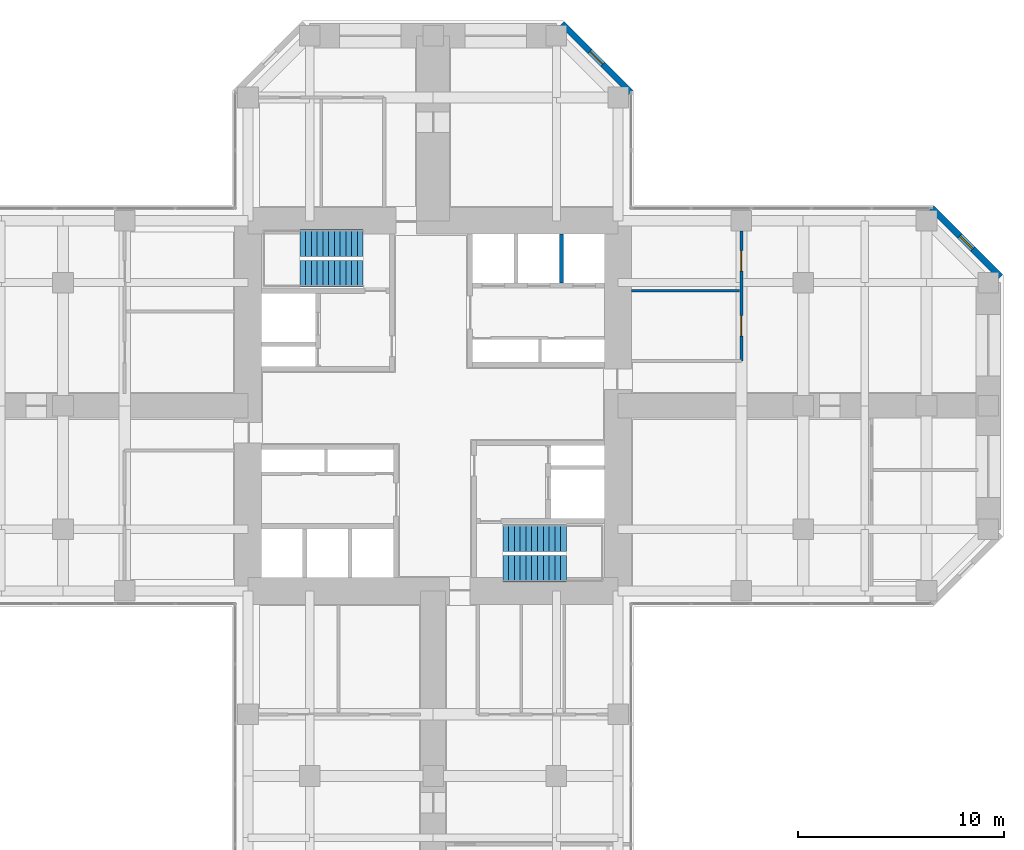
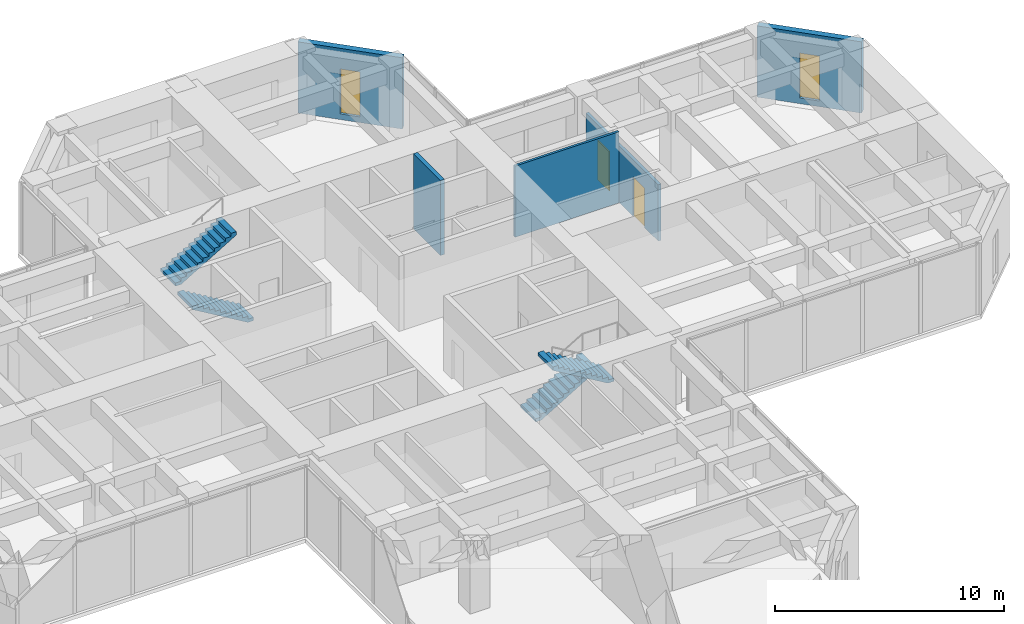
# One storey, part 11 of 12: 5 walls, 4 stair flights, 2 doors, 2 windows, 4 openings, 2 elements without a shape of their own.
"""IFC4 building model written with IfcOpenShell, lengths in metres."""

from ifc_helpers import new_model, si_unit, direction, frame, frame_2d, origin, place, context, subcontext, project, spatial, polyline, rectangle, hollow_rectangle, outline, extrude, material, layer, layer_set, constituent, constituent_set, type_object, element, fill, aggregate, save


model = new_model("IFC4")

# Units and contexts
model_context = context("Model", 3, precision=1e-05, world=origin(), true_north=direction((0.0, 1.0)))
body_context = subcontext(model_context, "Body", "Model", "MODEL_VIEW")
ifc_project = project(units=[si_unit("LENGTHUNIT", "METRE"), si_unit("AREAUNIT", "SQUARE_METRE"), si_unit("VOLUMEUNIT", "CUBIC_METRE"), si_unit("PLANEANGLEUNIT", "RADIAN"), si_unit("MASSUNIT", "GRAM", prefix="KILO")], contexts=[model_context])

# Site, building, storey
site_placement = place(None, origin())
site = spatial("IfcSite", under=ifc_project, at=site_placement, CompositionType="ELEMENT")
building_placement = place(site_placement, origin())
building = spatial("IfcBuilding", under=site, at=building_placement, Name="Torre Cruceta", CompositionType="ELEMENT")
storey_placement = place(building_placement, frame((0.0, 0.0, 116.5)))
storey = spatial("IfcBuildingStorey", under=building, at=storey_placement, Name="L28", CompositionType="ELEMENT", Elevation=116.5)

# Wall, opening, window
ifc_material_1 = material(Name="Concrete G30 (fck 30 MPa)", Category="concrete")
ifc_layer_1 = layer(ifc_material_1, 0.300048828125)
ifc_layer_set_1 = layer_set([ifc_layer_1], Name="Concrete G30 (fck 30 MPa)")
wall_type_1 = type_object("IfcWallType", Name="EXPOSED CONCRETE FACADE WALL 300", PredefinedType="SOLIDWALL", material=ifc_layer_set_1)
wall_1_placement = place(storey_placement, frame((27.60009765625, 6.27685546875, 0.0), z_axis=(0.0, 0.0, 1.0), x_axis=(-0.707106781187, 0.707106781187, 0.0)))
wall_1 = element("IfcWall", 1, at=wall_1_placement, inside=storey, type_object=wall_type_1, Name="EW1 facade wall L28 E chamfer 03", PredefinedType="SOLIDWALL", context=body_context, shape_type="SweptSolid", body=[
    extrude(rectangle(XDim=4.72802734375, YDim=0.300048828125, at=frame_2d((2.364013671875, 0.0))), origin(), (0.0, 0.0, 1.0), 3.800048828125),
])
opening_1_placement = place(wall_1_placement, frame((1.9140625, 0.0, 0.300048828125)))
opening_1 = element("IfcOpeningElement", 2, at=opening_1_placement, cuts=wall_1, Name="Opening WN5", PredefinedType="OPENING", context=body_context, shape_type="SweptSolid", body=[
    extrude(rectangle(XDim=0.89990234375, YDim=2.39990234375, at=frame_2d((0.449951171875, 1.199951171875))), frame((0.0, 0.159912109375, 0.0), z_axis=(0.0, -1.0, 0.0), x_axis=(1.0, 0.0, 0.0)), (0.0, 0.0, 1.0), 0.320068359375),
])
ifc_material_2 = material(Name="Aluminium window frame", Category="aluminium")
ifc_constituent_1 = constituent(ifc_material_2, Name="Frame")
ifc_material_3 = material(Name="Laminated insulating glass unit, low-iron clear", Category="glass")
ifc_constituent_2 = constituent(ifc_material_3, Name="Glazing")
ifc_constituent_set_1 = constituent_set(constituents=[ifc_constituent_1, ifc_constituent_2], Name="Aluminium window")
window_type = type_object("IfcWindowType", Name="CHAMFER SLOT WINDOW 900X2400", PartitioningType="SINGLE_PANEL", PredefinedType="WINDOW", material=ifc_constituent_set_1)
window_1_placement = place(opening_1_placement, origin())
window_1 = element("IfcWindow", 3, at=window_1_placement, inside=storey, type_object=window_type, Name="WN5 L28 E 1", OverallHeight=2.39990234375, OverallWidth=0.89990234375, PartitioningType="SINGLE_PANEL", PredefinedType="WINDOW", context=body_context, shape_type="SweptSolid", body=[
    extrude(hollow_rectangle(XDim=0.89990234375, YDim=2.39990234375, WallThickness=0.06005859375, at=frame_2d((0.449951171875, 1.199951171875))), frame((0.0, 0.030029296875, 0.0), z_axis=(0.0, -1.0, 0.0), x_axis=(1.0, 0.0, 0.0)), (0.0, 0.0, 1.0), 0.06005859375),
    extrude(rectangle(XDim=0.77880859375, YDim=2.27880859375, at=frame_2d((0.449951171875, 1.199951171875))), frame((0.0, 0.030029296875, 0.0), z_axis=(0.0, -1.0, 0.0), x_axis=(1.0, 0.0, 0.0)), (0.0, 0.0, 1.0), 0.06005859375),
])
fill(opening_1, window_1)

wall_2_placement = place(storey_placement, frame((9.6201171875, 15.2568359375, 0.0), z_axis=(0.0, 0.0, 1.0), x_axis=(-0.707106781187, 0.707106781187, 0.0)))
wall_2 = element("IfcWall", 4, at=wall_2_placement, inside=storey, type_object=wall_type_1, Name="EW1 facade wall L28 N chamfer 06", PredefinedType="SOLIDWALL", context=body_context, shape_type="SweptSolid", body=[
    extrude(rectangle(XDim=4.72802734375, YDim=0.300048828125, at=frame_2d((2.364013671875, 0.0))), origin(), (0.0, 0.0, 1.0), 3.800048828125),
])
opening_2_placement = place(wall_2_placement, frame((1.9140625, 0.0, 0.300048828125)))
opening_2 = element("IfcOpeningElement", 5, at=opening_2_placement, cuts=wall_2, Name="Opening WN5", PredefinedType="OPENING", context=body_context, shape_type="SweptSolid", body=[
    extrude(rectangle(XDim=0.89990234375, YDim=2.39990234375, at=frame_2d((0.449951171875, 1.199951171875))), frame((0.0, 0.159912109375, 0.0), z_axis=(0.0, -1.0, 0.0), x_axis=(1.0, 0.0, 0.0)), (0.0, 0.0, 1.0), 0.320068359375),
])
window_2_placement = place(opening_2_placement, origin())
window_2 = element("IfcWindow", 6, at=window_2_placement, inside=storey, type_object=window_type, Name="WN5 L28 N 1", OverallHeight=2.39990234375, OverallWidth=0.89990234375, PartitioningType="SINGLE_PANEL", PredefinedType="WINDOW", context=body_context, shape_type="SweptSolid", body=[
    extrude(hollow_rectangle(XDim=0.89990234375, YDim=2.39990234375, WallThickness=0.06005859375, at=frame_2d((0.449951171875, 1.199951171875))), frame((0.0, 0.030029296875, 0.0), z_axis=(0.0, -1.0, 0.0), x_axis=(1.0, 0.0, 0.0)), (0.0, 0.0, 1.0), 0.06005859375),
    extrude(rectangle(XDim=0.77880859375, YDim=2.27880859375, at=frame_2d((0.449951171875, 1.199951171875))), frame((0.0, 0.030029296875, 0.0), z_axis=(0.0, -1.0, 0.0), x_axis=(1.0, 0.0, 0.0)), (0.0, 0.0, 1.0), 0.06005859375),
])
fill(opening_2, window_2)

# Wall
ifc_material_4 = material(Name="Concrete G35 (fck 35 MPa)", Category="concrete")
ifc_layer_2 = layer(ifc_material_4, 0.199951171875)
ifc_layer_set_2 = layer_set([ifc_layer_2], Name="Concrete G35 (fck 35 MPa)")
wall_type_2 = type_object("IfcWallType", Name="LIFT SHAFT WALL 200", PredefinedType="PARTITIONING", material=ifc_layer_set_2)
wall_3_placement = place(storey_placement, frame((6.24169921875, 5.97509765625, 0.0), z_axis=(0.0, 0.0, 1.0), x_axis=(0.0, 1.0, 0.0)))
element("IfcWall", 7, at=wall_3_placement, inside=storey, type_object=wall_type_2, Name="SW1 L28 NE-LS2", PredefinedType="PARTITIONING", context=body_context, shape_type="SweptSolid", body=[
    extrude(rectangle(XDim=2.375, YDim=0.199951171875, at=frame_2d((1.1875, 0.0))), origin(), (0.0, 0.0, 1.0), 4.0),
])

# Wall, openings, doors
ifc_material_5 = material(Name="Plasterboard on steel studs", Category="steel")
ifc_layer_3 = layer(ifc_material_5, 0.14990234375)
ifc_layer_set_3 = layer_set([ifc_layer_3], Name="Plasterboard on steel studs")
wall_type_3 = type_object("IfcWallType", Name="PARTITION 150", PredefinedType="PARTITIONING", material=ifc_layer_set_3)
wall_4_placement = place(storey_placement, frame((15.0, 2.175048828125, 0.0), z_axis=(0.0, 0.0, 1.0), x_axis=(0.0, 1.0, 0.0)))
wall_4 = element("IfcWall", 8, at=wall_4_placement, inside=storey, type_object=wall_type_3, Name="PT1 L28-E-BFL", PredefinedType="PARTITIONING", context=body_context, shape_type="SweptSolid", body=[
    extrude(rectangle(XDim=6.324951171875, YDim=0.14990234375, at=frame_2d((3.16259765625, 0.0))), origin(), (0.0, 0.0, 1.0), 3.0),
])
opening_3_placement = place(wall_4_placement, frame((1.216796875, 0.0, 0.0)))
opening_3 = element("IfcOpeningElement", 9, at=opening_3_placement, cuts=wall_4, Name="Opening D3", PredefinedType="OPENING", context=body_context, shape_type="SweptSolid", body=[
    extrude(rectangle(XDim=1.0, YDim=2.10009765625, at=frame_2d((0.5, 1.050048828125))), frame((0.0, 0.0849609375, 0.0), z_axis=(0.0, -1.0, 0.0), x_axis=(1.0, 0.0, 0.0)), (0.0, 0.0, 1.0), 0.169921875),
])
opening_4_placement = place(wall_4_placement, frame((4.37939453125, 0.0, 0.0)))
opening_4 = element("IfcOpeningElement", 10, at=opening_4_placement, cuts=wall_4, Name="Opening D3", PredefinedType="OPENING", context=body_context, shape_type="SweptSolid", body=[
    extrude(rectangle(XDim=1.0, YDim=2.10009765625, at=frame_2d((0.5, 1.050048828125))), frame((0.0, 0.0849609375, 0.0), z_axis=(0.0, -1.0, 0.0), x_axis=(1.0, 0.0, 0.0)), (0.0, 0.0, 1.0), 0.169921875),
])
ifc_material_6 = material(Name="Steel DX51D", Category="steel")
ifc_constituent_3 = constituent(ifc_material_6, Name="Leaf and frame")
ifc_material_7 = material(Name="Polyester powder coating", Category="paint")
ifc_constituent_4 = constituent(ifc_material_7, Name="Finish")
ifc_constituent_set_2 = constituent_set(constituents=[ifc_constituent_3, ifc_constituent_4], Name="Steel fire door")
door_type = type_object("IfcDoorType", Name="FIRE DOOR 1000X2100", OperationType="SINGLE_SWING_LEFT", PredefinedType="DOOR", material=ifc_constituent_set_2)
door_1_placement = place(opening_3_placement, origin())
door_1 = element("IfcDoor", 11, at=door_1_placement, inside=storey, type_object=door_type, Name="D3 L28-E-BFL-D1", OperationType="SINGLE_SWING_LEFT", OverallHeight=2.10009765625, OverallWidth=1.0, PredefinedType="DOOR", context=body_context, shape_type="SweptSolid", body=[
    extrude(rectangle(XDim=1.0, YDim=2.10009765625, at=frame_2d((0.5, 1.050048828125))), frame((0.0, 0.02490234375, 0.0), z_axis=(0.0, -1.0, 0.0), x_axis=(1.0, 0.0, 0.0)), (0.0, 0.0, 1.0), 0.050048828125),
])
fill(opening_3, door_1)
door_2_placement = place(opening_4_placement, origin())
door_2 = element("IfcDoor", 12, at=door_2_placement, inside=storey, type_object=door_type, Name="D3 L28-E-BFL-D2", OperationType="SINGLE_SWING_LEFT", OverallHeight=2.10009765625, OverallWidth=1.0, PredefinedType="DOOR", context=body_context, shape_type="SweptSolid", body=[
    extrude(rectangle(XDim=1.0, YDim=2.10009765625, at=frame_2d((0.5, 1.050048828125))), frame((0.0, 0.02490234375, 0.0), z_axis=(0.0, -1.0, 0.0), x_axis=(1.0, 0.0, 0.0)), (0.0, 0.0, 1.0), 0.050048828125),
])
fill(opening_4, door_2)

# Wall
ifc_material_8 = material(Name="Plasterboard on steel studs", Category="steel")
ifc_layer_4 = layer(ifc_material_8, 0.1201171875)
ifc_layer_set_4 = layer_set([ifc_layer_4], Name="Plasterboard on steel studs")
wall_type_4 = type_object("IfcWallType", Name="WC PARTITION 120", PredefinedType="PLUMBINGWALL", material=ifc_layer_set_4)
wall_5_placement = place(storey_placement, frame((9.64990234375, 5.608642578125, 0.0), z_axis=(0.0, 0.0, 1.0), x_axis=(1.0, 0.0, 0.0)))
element("IfcWall", 13, at=wall_5_placement, inside=storey, type_object=wall_type_4, Name="PT5 L28-E-BDL1", PredefinedType="PLUMBINGWALL", context=body_context, shape_type="SweptSolid", body=[
    extrude(rectangle(XDim=5.25, YDim=0.1201171875, at=frame_2d((2.625, 0.0))), origin(), (0.0, 0.0, 1.0), 3.800048828125),
])

# Stair, stair flights
ifc_material_9 = material(Name="Concrete G30 (fck 30 MPa)", Category="concrete")
stair_type = type_object("IfcStairType", Name="STAIR HALF-TURN 1300", PredefinedType="HALF_TURN_STAIR", material=ifc_material_9)
stair_1_placement = place(storey_placement, origin())
stair_1 = element("IfcStair", 14, at=stair_1_placement, inside=storey, type_object=stair_type, Name="Stair ST1 L28", PredefinedType="HALF_TURN_STAIR")
ifc_material_10 = material(Name="Concrete G30 (fck 30 MPa)", Category="concrete")
stair_flight_type = type_object("IfcStairFlightType", Name="STAIR FLIGHT 1300", PredefinedType="STRAIGHT", material=ifc_material_10)
stair_flight_1_placement = place(storey_placement, frame((-3.39990234375, 6.425048828125, 0.0), z_axis=(0.0, 0.0, 1.0), x_axis=(-1.0, 0.0, 0.0)))
stair_flight_1 = element("IfcStairFlight", 15, at=stair_flight_1_placement, type_object=stair_flight_type, Name="ST1 flight 1", NumberOfRisers=12, NumberOfTreads=11, PredefinedType="STRAIGHT", RiserHeight=0.166666667, TreadLength=0.28, context=body_context, shape_type="SweptSolid", body=[
    extrude(outline(polyline([(0.0, 0.0), (0.0, 0.166748046875), (0.280029296875, 0.166748046875), (0.280029296875, 0.333251953125), (0.56005859375, 0.333251953125), (0.56005859375, 0.5), (0.840087890625, 0.5), (0.840087890625, 0.666748046875), (1.1201171875, 0.666748046875), (1.1201171875, 0.833251953125), (1.39990234375, 0.833251953125), (1.39990234375, 1.0), (1.679931640625, 1.0), (1.679931640625, 1.166748046875), (1.9599609375, 1.166748046875), (1.9599609375, 1.333251953125), (2.239990234375, 1.333251953125), (2.239990234375, 1.5), (2.52001953125, 1.5), (2.52001953125, 1.666748046875), (2.800048828125, 1.666748046875), (2.800048828125, 1.833251953125), (3.080078125, 1.833251953125), (3.080078125, 2.0), (3.080078125, 1.658935546875), (0.29296875, 0.0), (0.0, 0.0)])), frame((0.0, 0.64990234375, 0.0), z_axis=(0.0, -1.0, 0.0), x_axis=(1.0, 0.0, 0.0)), (0.0, 0.0, 1.0), 1.300048828125),
])
stair_flight_2_placement = place(storey_placement, frame((-6.47998046875, 7.925048828125, 2.0), z_axis=(0.0, 0.0, 1.0), x_axis=(1.0, 0.0, 0.0)))
stair_flight_2 = element("IfcStairFlight", 16, at=stair_flight_2_placement, type_object=stair_flight_type, Name="ST1 flight 2", NumberOfRisers=12, NumberOfTreads=11, PredefinedType="STRAIGHT", RiserHeight=0.166666667, TreadLength=0.28, context=body_context, shape_type="SweptSolid", body=[
    extrude(outline(polyline([(0.0, 0.0), (0.0, 0.166748046875), (0.280029296875, 0.166748046875), (0.280029296875, 0.333251953125), (0.56005859375, 0.333251953125), (0.56005859375, 0.5), (0.840087890625, 0.5), (0.840087890625, 0.666748046875), (1.1201171875, 0.666748046875), (1.1201171875, 0.833251953125), (1.39990234375, 0.833251953125), (1.39990234375, 1.0), (1.679931640625, 1.0), (1.679931640625, 1.166748046875), (1.9599609375, 1.166748046875), (1.9599609375, 1.333251953125), (2.239990234375, 1.333251953125), (2.239990234375, 1.5), (2.52001953125, 1.5), (2.52001953125, 1.666748046875), (2.800048828125, 1.666748046875), (2.800048828125, 1.833251953125), (3.080078125, 1.833251953125), (3.080078125, 2.0), (3.080078125, 1.658935546875), (0.29296875, 0.0), (0.0, 0.0)])), frame((0.0, 0.64990234375, 0.0), z_axis=(0.0, -1.0, 0.0), x_axis=(1.0, 0.0, 0.0)), (0.0, 0.0, 1.0), 1.300048828125),
])
aggregate(stair_1, [stair_flight_1, stair_flight_2])

stair_2_placement = place(storey_placement, origin())
stair_2 = element("IfcStair", 17, at=stair_2_placement, inside=storey, type_object=stair_type, Name="Stair ST2 L28", PredefinedType="HALF_TURN_STAIR")
stair_flight_3_placement = place(storey_placement, frame((3.39990234375, -6.425048828125, 0.0), z_axis=(0.0, 0.0, 1.0), x_axis=(1.0, 0.0, 0.0)))
stair_flight_3 = element("IfcStairFlight", 18, at=stair_flight_3_placement, type_object=stair_flight_type, Name="ST2 flight 1", NumberOfRisers=12, NumberOfTreads=11, PredefinedType="STRAIGHT", RiserHeight=0.166666667, TreadLength=0.28, context=body_context, shape_type="SweptSolid", body=[
    extrude(outline(polyline([(0.0, 0.0), (0.0, 0.166748046875), (0.280029296875, 0.166748046875), (0.280029296875, 0.333251953125), (0.56005859375, 0.333251953125), (0.56005859375, 0.5), (0.840087890625, 0.5), (0.840087890625, 0.666748046875), (1.1201171875, 0.666748046875), (1.1201171875, 0.833251953125), (1.39990234375, 0.833251953125), (1.39990234375, 1.0), (1.679931640625, 1.0), (1.679931640625, 1.166748046875), (1.9599609375, 1.166748046875), (1.9599609375, 1.333251953125), (2.239990234375, 1.333251953125), (2.239990234375, 1.5), (2.52001953125, 1.5), (2.52001953125, 1.666748046875), (2.800048828125, 1.666748046875), (2.800048828125, 1.833251953125), (3.080078125, 1.833251953125), (3.080078125, 2.0), (3.080078125, 1.658935546875), (0.29296875, 0.0), (0.0, 0.0)])), frame((0.0, 0.64990234375, 0.0), z_axis=(0.0, -1.0, 0.0), x_axis=(1.0, 0.0, 0.0)), (0.0, 0.0, 1.0), 1.300048828125),
])
stair_flight_4_placement = place(storey_placement, frame((6.47998046875, -7.925048828125, 2.0), z_axis=(0.0, 0.0, 1.0), x_axis=(-1.0, 0.0, 0.0)))
stair_flight_4 = element("IfcStairFlight", 19, at=stair_flight_4_placement, type_object=stair_flight_type, Name="ST2 flight 2", NumberOfRisers=12, NumberOfTreads=11, PredefinedType="STRAIGHT", RiserHeight=0.166666667, TreadLength=0.28, context=body_context, shape_type="SweptSolid", body=[
    extrude(outline(polyline([(0.0, 0.0), (0.0, 0.166748046875), (0.280029296875, 0.166748046875), (0.280029296875, 0.333251953125), (0.56005859375, 0.333251953125), (0.56005859375, 0.5), (0.840087890625, 0.5), (0.840087890625, 0.666748046875), (1.1201171875, 0.666748046875), (1.1201171875, 0.833251953125), (1.39990234375, 0.833251953125), (1.39990234375, 1.0), (1.679931640625, 1.0), (1.679931640625, 1.166748046875), (1.9599609375, 1.166748046875), (1.9599609375, 1.333251953125), (2.239990234375, 1.333251953125), (2.239990234375, 1.5), (2.52001953125, 1.5), (2.52001953125, 1.666748046875), (2.800048828125, 1.666748046875), (2.800048828125, 1.833251953125), (3.080078125, 1.833251953125), (3.080078125, 2.0), (3.080078125, 1.658935546875), (0.29296875, 0.0), (0.0, 0.0)])), frame((0.0, 0.64990234375, 0.0), z_axis=(0.0, -1.0, 0.0), x_axis=(1.0, 0.0, 0.0)), (0.0, 0.0, 1.0), 1.300048828125),
])
aggregate(stair_2, [stair_flight_3, stair_flight_4])

save(model, "model.ifc")
